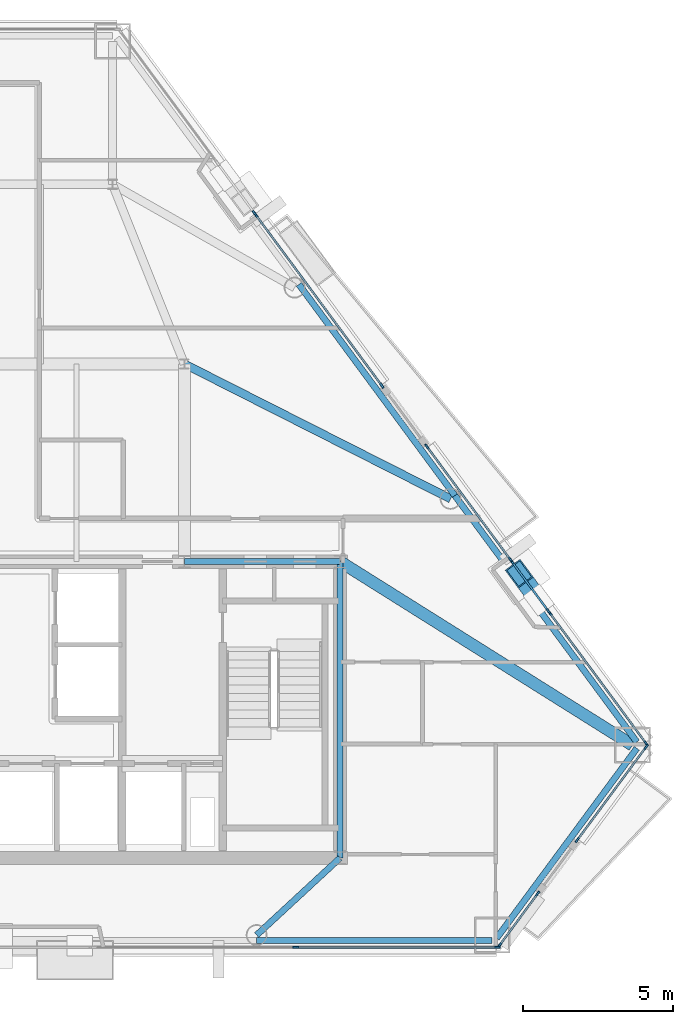
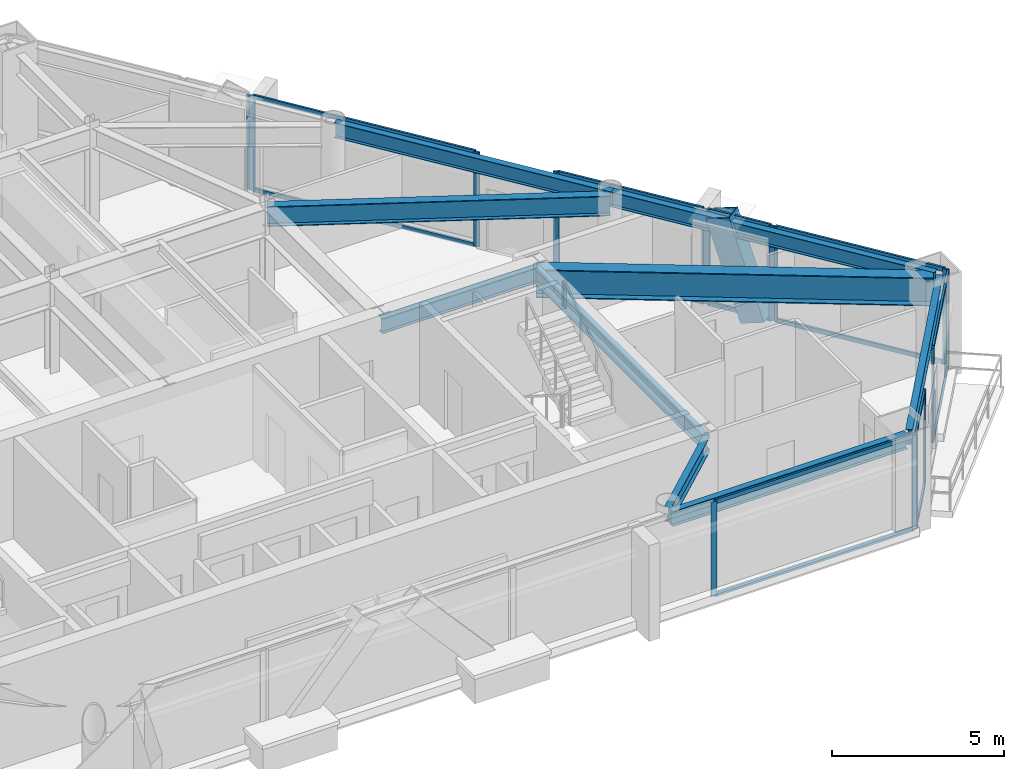
# One storey, part 5 of 11: 30 members, 9 beams, 8 elements without a shape of their own.
"""IFC4 building model written with IfcOpenShell, lengths in metres."""

from ifc_helpers import new_model, si_unit, direction, frame, origin, origin_2d, place, context, subcontext, project, spatial, rectangle, hollow_rectangle, i_section, extrude, material, layer, layer_set, material_profile, profile_set, type_object, element, aggregate, save


model = new_model("IFC4")

# Units and contexts
model_context = context("Model", 3, precision=1e-05, world=origin(), true_north=direction((0.0, 1.0)))
body_context = subcontext(model_context, "Body", "Model", "MODEL_VIEW")
ifc_project = project(units=[si_unit("LENGTHUNIT", "METRE"), si_unit("AREAUNIT", "SQUARE_METRE"), si_unit("VOLUMEUNIT", "CUBIC_METRE"), si_unit("PLANEANGLEUNIT", "RADIAN"), si_unit("MASSUNIT", "GRAM", prefix="KILO")], contexts=[model_context])

# Site, building, storey
site_placement = place(None, origin())
site = spatial("IfcSite", under=ifc_project, at=site_placement, CompositionType="ELEMENT")
building_placement = place(site_placement, origin())
building = spatial("IfcBuilding", under=site, at=building_placement, Name="Talgorran Terracotta Tower", CompositionType="ELEMENT")
storey_placement = place(building_placement, frame((0.0, 0.0, 147.300048828125)))
storey = spatial("IfcBuildingStorey", under=building, at=storey_placement, Name="L38", CompositionType="ELEMENT", Elevation=147.300048828125)

# Beams
ifc_material_1 = material(Name="Steel Grade 350 (350L0)", Category="steel")
ifc_material_profile_1 = material_profile(ifc_material_1, i_section(OverallWidth=0.39990234375, OverallDepth=1.0, WebThickness=0.01611328125, FlangeThickness=0.031005859375, at=origin_2d()), Name="1000WB296")
ifc_profile_set_1 = profile_set([ifc_material_profile_1], Name="Steel Grade 350 (350L0)")
beam_type_1 = type_object("IfcBeamType", Name="BM_1000WB296", PredefinedType="BEAM", material=ifc_profile_set_1)
beam_1_placement = place(storey_placement, frame((12.39990234375, -4.199951171875, 2.849853515625), z_axis=(0.846977550412, -0.531628657145, 0.0), x_axis=(0.531628657145, 0.846977550412, 0.0)))
element("IfcBeam", 1, at=beam_1_placement, inside=storey, type_object=beam_type_1, Name="L38 Floor Girder G18", PredefinedType="BEAM", context=body_context, shape_type="SweptSolid", body=[
    extrude(i_section(OverallWidth=0.39990234375, OverallDepth=1.0, WebThickness=0.01611328125, FlangeThickness=0.031005859375, at=origin_2d()), origin(), (0.0, 0.0, 1.0), 11.533203125),
])
ifc_material_2 = material(Name="Steel S355 (300PLUS)", Category="steel")
ifc_material_profile_2 = material_profile(ifc_material_2, i_section(OverallWidth=0.27490234375, OverallDepth=0.7080078125, WebThickness=0.011962890625, FlangeThickness=0.02490234375, at=origin_2d()), Name="700WB173")
ifc_profile_set_2 = profile_set([ifc_material_profile_2], Name="Steel S355 (300PLUS)")
beam_type_2 = type_object("IfcBeamType", Name="BM_700WB173", PredefinedType="BEAM", material=ifc_profile_set_2)
beam_2_placement = place(storey_placement, frame((7.199951171875, 2.39990234375, 2.995849609375), z_axis=(0.892122666424, -0.451793258087, 0.0), x_axis=(0.451793258087, 0.892122666424, 0.0)))
element("IfcBeam", 2, at=beam_2_placement, inside=storey, type_object=beam_type_2, Name="L38 Floor Girder G07", PredefinedType="BEAM", context=body_context, shape_type="SweptSolid", body=[
    extrude(i_section(OverallWidth=0.27490234375, OverallDepth=0.7080078125, WebThickness=0.011962890625, FlangeThickness=0.02490234375, at=origin_2d()), origin(), (0.0, 0.0, 1.0), 9.966796875),
])
ifc_material_profile_3 = material_profile(ifc_material_2, i_section(OverallWidth=0.209228515625, OverallDepth=0.532958984375, WebThickness=0.01025390625, FlangeThickness=0.015625, at=origin_2d()), Name="530UB92.4")
ifc_profile_set_3 = profile_set([ifc_material_profile_3], Name="Steel S355 (300PLUS)")
beam_type_3 = type_object("IfcBeamType", Name="BM_SP_530UB92", PredefinedType="SPANDREL", material=ifc_profile_set_3)
beam_3_placement = place(storey_placement, frame((9.615966796875, -16.8544921875, 3.08349609375), z_axis=(1.0, 0.0, 0.0), x_axis=(0.0, 1.0, 0.0)))
element("IfcBeam", 3, at=beam_3_placement, inside=storey, type_object=beam_type_3, Name="L38 Perimeter Spandrel Beam FC2-MC3", PredefinedType="SPANDREL", context=body_context, shape_type="SweptSolid", body=[
    extrude(i_section(OverallWidth=0.209228515625, OverallDepth=0.532958984375, WebThickness=0.01025390625, FlangeThickness=0.015625, at=origin_2d()), origin(), (0.0, 0.0, 1.0), 7.86767578125),
])
beam_4_placement = place(storey_placement, frame((17.62841796875, -16.78125, 3.08349609375), z_axis=(0.594068918856, 0.804414146848, 0.0), x_axis=(-0.804414146848, 0.594068918856, 0.0)))
element("IfcBeam", 4, at=beam_4_placement, inside=storey, type_object=beam_type_3, Name="L38 Perimeter Spandrel Beam MC3-MC4", PredefinedType="SPANDREL", context=body_context, shape_type="SweptSolid", body=[
    extrude(i_section(OverallWidth=0.209228515625, OverallDepth=0.532958984375, WebThickness=0.01025390625, FlangeThickness=0.015625, at=origin_2d()), origin(), (0.0, 0.0, 1.0), 7.885498046875),
])
beam_5_placement = place(storey_placement, frame((22.31298828125, -10.224365234375, 3.08349609375), z_axis=(-0.594068215055, 0.804414666613, 0.0), x_axis=(-0.804414666613, -0.594068215055, 0.0)))
element("IfcBeam", 5, at=beam_5_placement, inside=storey, type_object=beam_type_3, Name="L38 Perimeter Spandrel Beam MC4-FC3", PredefinedType="SPANDREL", context=body_context, shape_type="SweptSolid", body=[
    extrude(i_section(OverallWidth=0.209228515625, OverallDepth=0.532958984375, WebThickness=0.01025390625, FlangeThickness=0.015625, at=origin_2d()), origin(), (0.0, 0.0, 1.0), 10.22900390625),
])
beam_6_placement = place(storey_placement, frame((16.236328125, -1.99609375, 3.08349609375), z_axis=(-0.594084887131, 0.804402353852, 0.0), x_axis=(-0.804402353852, -0.594084887131, 0.0)))
element("IfcBeam", 6, at=beam_6_placement, inside=storey, type_object=beam_type_3, Name="L38 Perimeter Spandrel Beam FC3-FC4", PredefinedType="SPANDREL", context=body_context, shape_type="SweptSolid", body=[
    extrude(i_section(OverallWidth=0.209228515625, OverallDepth=0.532958984375, WebThickness=0.01025390625, FlangeThickness=0.015625, at=origin_2d()), origin(), (0.0, 0.0, 1.0), 8.767578125),
])
beam_7_placement = place(storey_placement, frame((12.39990234375, -14.10009765625, 3.08349609375), z_axis=(-0.734220592544, -0.678910982003, 0.0), x_axis=(0.678910982003, -0.734220592544, 0.0)))
element("IfcBeam", 7, at=beam_7_placement, inside=storey, type_object=beam_type_3, Name="L38 South-East Core Tie Beam", PredefinedType="SPANDREL", context=body_context, shape_type="SweptSolid", body=[
    extrude(i_section(OverallWidth=0.209228515625, OverallDepth=0.532958984375, WebThickness=0.01025390625, FlangeThickness=0.015625, at=origin_2d()), origin(), (0.0, 0.0, 1.0), 3.791748046875),
])
beam_8_placement = place(storey_placement, frame((12.39990234375, -14.10009765625, 3.08349609375), z_axis=(0.0, 1.0, 0.0), x_axis=(-1.0, 0.0, 0.0)))
element("IfcBeam", 8, at=beam_8_placement, inside=storey, type_object=beam_type_3, Name="L38 Core Frame Beam CFE", PredefinedType="SPANDREL", context=body_context, shape_type="SweptSolid", body=[
    extrude(i_section(OverallWidth=0.209228515625, OverallDepth=0.532958984375, WebThickness=0.01025390625, FlangeThickness=0.015625, at=origin_2d()), origin(), (0.0, 0.0, 1.0), 9.900146484375),
])
beam_9_placement = place(storey_placement, frame((7.199951171875, -4.199951171875, 3.08349609375), z_axis=(1.0, 0.0, 0.0), x_axis=(0.0, 1.0, 0.0)))
element("IfcBeam", 9, at=beam_9_placement, inside=storey, type_object=beam_type_3, Name="L38 Core Frame Beam CFN4", PredefinedType="SPANDREL", context=body_context, shape_type="SweptSolid", body=[
    extrude(i_section(OverallWidth=0.209228515625, OverallDepth=0.532958984375, WebThickness=0.01025390625, FlangeThickness=0.015625, at=origin_2d()), origin(), (0.0, 0.0, 1.0), 5.199951171875),
])

# Member
ifc_material_profile_4 = material_profile(ifc_material_1, hollow_rectangle(XDim=0.6201171875, YDim=0.780029296875, WallThickness=0.0419921875, at=origin_2d()), Name="WBOX780X620X42")
ifc_profile_set_4 = profile_set([ifc_material_profile_4], Name="Steel Grade 350 (350L0)")
member_type_1 = type_object("IfcMemberType", Name="MB_MEGA_780", PredefinedType="BRACE", material=ifc_profile_set_4)
member_1_placement = place(storey_placement, frame((19.037353515625, -5.48583984375, -0.025146484375), z_axis=(-0.18257277214, 0.247211186229, 0.951605912275), x_axis=(-0.804407113158, -0.594078442885, 0.0)))
element("IfcMember", 10, at=member_1_placement, inside=storey, type_object=member_type_1, Name="L38 Exterior Face Mega-Brace MB-2 (NEL)", PredefinedType="BRACE", context=body_context, shape_type="SweptSolid", body=[
    extrude(hollow_rectangle(XDim=0.6201171875, YDim=0.780029296875, WallThickness=0.0419921875, at=origin_2d()), origin(), (0.0, 0.0, 1.0), 3.572998046875),
])

# Curtain wall, members
ifc_material_3 = material(Name="Unitised Low-E Double Glazing", Category="glass")
ifc_layer = layer(ifc_material_3, 0.199951171875, Name="CW_SYS2_RES_LOW")
ifc_layer_set = layer_set([ifc_layer], Name="Unitised Low-E Double Glazing")
curtain_wall_type = type_object("IfcCurtainWallType", Name="CW_SYS2_RES_LOW", PredefinedType="NOTDEFINED", material=ifc_layer_set)
curtain_wall_1_placement = place(storey_placement, origin())
curtain_wall_1 = element("IfcCurtainWall", 11, at=curtain_wall_1_placement, inside=storey, type_object=curtain_wall_type, Name="CW-L38-F1C", PredefinedType="NOTDEFINED")
ifc_material_4 = material(Name="Architectural Aluminium 6063-T6", Category="aluminium")
ifc_material_profile_5 = material_profile(ifc_material_4, rectangle(XDim=0.06494140625, YDim=0.18505859375, at=origin_2d()), Name="CWM65X185")
ifc_profile_set_5 = profile_set([ifc_material_profile_5], Name="Architectural Aluminium 6063-T6")
member_type_2 = type_object("IfcMemberType", Name="MUL_65X185", PredefinedType="MULLION", material=ifc_profile_set_5)
member_2_placement = place(storey_placement, frame((10.921142578125, -17.074462890625, 0.0), z_axis=(0.0, 0.0, 1.0), x_axis=(0.0, 1.0, 0.0)))
member_2 = element("IfcMember", 12, at=member_2_placement, type_object=member_type_2, Name="CW-L38-1C mullion 2", PredefinedType="MULLION", context=body_context, shape_type="SweptSolid", body=[
    extrude(rectangle(XDim=0.06494140625, YDim=0.18505859375, at=origin_2d()), origin(), (0.0, 0.0, 1.0), 3.349853515625),
])
member_3_placement = place(storey_placement, frame((17.65283203125, -17.074462890625, 0.0), z_axis=(0.0, 0.0, 1.0), x_axis=(0.0, 1.0, 0.0)))
member_3 = element("IfcMember", 13, at=member_3_placement, type_object=member_type_2, Name="CW-L38-1C mullion 3", PredefinedType="MULLION", context=body_context, shape_type="SweptSolid", body=[
    extrude(rectangle(XDim=0.06494140625, YDim=0.18505859375, at=origin_2d()), origin(), (0.0, 0.0, 1.0), 3.349853515625),
])

curtain_wall_2_placement = place(storey_placement, origin())
curtain_wall_2 = element("IfcCurtainWall", 14, at=curtain_wall_2_placement, inside=storey, type_object=curtain_wall_type, Name="CW-L38-F30", PredefinedType="NOTDEFINED")
member_4_placement = place(storey_placement, frame((17.728515625, -17.01611328125, 0.0), z_axis=(0.0, 0.0, 1.0), x_axis=(-0.804413973755, 0.594069153237, 0.0)))
member_4 = element("IfcMember", 15, at=member_4_placement, type_object=member_type_2, Name="CW-L38-30 mullion 1", PredefinedType="MULLION", context=body_context, shape_type="SweptSolid", body=[
    extrude(rectangle(XDim=0.06494140625, YDim=0.18505859375, at=origin_2d()), origin(), (0.0, 0.0, 1.0), 3.349853515625),
])
member_5_placement = place(storey_placement, frame((19.0029296875, -15.29052734375, 0.0), z_axis=(0.0, 0.0, 1.0), x_axis=(-0.804413973755, 0.594069153237, 0.0)))
member_5 = element("IfcMember", 16, at=member_5_placement, type_object=member_type_2, Name="CW-L38-30 mullion 2", PredefinedType="MULLION", context=body_context, shape_type="SweptSolid", body=[
    extrude(rectangle(XDim=0.06494140625, YDim=0.18505859375, at=origin_2d()), origin(), (0.0, 0.0, 1.0), 3.349853515625),
])

curtain_wall_3_placement = place(storey_placement, origin())
curtain_wall_3 = element("IfcCurtainWall", 17, at=curtain_wall_3_placement, inside=storey, type_object=curtain_wall_type, Name="CW-L38-F31", PredefinedType="NOTDEFINED")
member_6_placement = place(storey_placement, frame((20.32470703125, -13.500732421875, 0.0), z_axis=(0.0, 0.0, 1.0), x_axis=(-0.804402793859, 0.594084291352, 0.0)))
member_6 = element("IfcMember", 18, at=member_6_placement, type_object=member_type_2, Name="CW-L38-31 mullion 1", PredefinedType="MULLION", context=body_context, shape_type="SweptSolid", body=[
    extrude(rectangle(XDim=0.06494140625, YDim=0.18505859375, at=origin_2d()), origin(), (0.0, 0.0, 1.0), 3.349853515625),
])
member_7_placement = place(storey_placement, frame((22.622314453125, -10.3896484375, 0.0), z_axis=(0.0, 0.0, 1.0), x_axis=(-0.804402793859, 0.594084291352, 0.0)))
member_7 = element("IfcMember", 19, at=member_7_placement, type_object=member_type_2, Name="CW-L38-31 mullion 2", PredefinedType="MULLION", context=body_context, shape_type="SweptSolid", body=[
    extrude(rectangle(XDim=0.06494140625, YDim=0.18505859375, at=origin_2d()), origin(), (0.0, 0.0, 1.0), 3.349853515625),
])

curtain_wall_4_placement = place(storey_placement, origin())
curtain_wall_4 = element("IfcCurtainWall", 20, at=curtain_wall_4_placement, inside=storey, type_object=curtain_wall_type, Name="CW-L38-F40", PredefinedType="NOTDEFINED")
member_8_placement = place(storey_placement, frame((22.622314453125, -10.27294921875, 0.0), z_axis=(0.0, 0.0, 1.0), x_axis=(-0.804402582679, -0.594084577294, 0.0)))
member_8 = element("IfcMember", 21, at=member_8_placement, type_object=member_type_2, Name="CW-L38-40 mullion 1", PredefinedType="MULLION", context=body_context, shape_type="SweptSolid", body=[
    extrude(rectangle(XDim=0.06494140625, YDim=0.18505859375, at=origin_2d()), origin(), (0.0, 0.0, 1.0), 3.349853515625),
])
member_9_placement = place(storey_placement, frame((19.4013671875, -5.911376953125, 0.0), z_axis=(0.0, 0.0, 1.0), x_axis=(-0.804402582679, -0.594084577294, 0.0)))
member_9 = element("IfcMember", 22, at=member_9_placement, type_object=member_type_2, Name="CW-L38-40 mullion 2", PredefinedType="MULLION", context=body_context, shape_type="SweptSolid", body=[
    extrude(rectangle(XDim=0.06494140625, YDim=0.18505859375, at=origin_2d()), origin(), (0.0, 0.0, 1.0), 3.349853515625),
])

curtain_wall_5_placement = place(storey_placement, origin())
curtain_wall_5 = element("IfcCurtainWall", 23, at=curtain_wall_5_placement, inside=storey, type_object=curtain_wall_type, Name="CW-L38-F40B", PredefinedType="NOTDEFINED")
member_10_placement = place(storey_placement, frame((19.356689453125, -5.85107421875, 0.0), z_axis=(0.0, 0.0, 1.0), x_axis=(-0.804400478382, -0.594087426545, 0.0)))
member_10 = element("IfcMember", 24, at=member_10_placement, type_object=member_type_2, Name="CW-L38-40B mullion 1", PredefinedType="MULLION", context=body_context, shape_type="SweptSolid", body=[
    extrude(rectangle(XDim=0.06494140625, YDim=0.18505859375, at=origin_2d()), origin(), (0.0, 0.0, 1.0), 3.349853515625),
])
member_11_placement = place(storey_placement, frame((18.1298828125, -4.18994140625, 0.0), z_axis=(0.0, 0.0, 1.0), x_axis=(-0.804400478382, -0.594087426545, 0.0)))
member_11 = element("IfcMember", 25, at=member_11_placement, type_object=member_type_2, Name="CW-L38-40B mullion 2", PredefinedType="MULLION", context=body_context, shape_type="SweptSolid", body=[
    extrude(rectangle(XDim=0.06494140625, YDim=0.18505859375, at=origin_2d()), origin(), (0.0, 0.0, 1.0), 3.349853515625),
])

curtain_wall_6_placement = place(storey_placement, origin())
curtain_wall_6 = element("IfcCurtainWall", 26, at=curtain_wall_6_placement, inside=storey, type_object=curtain_wall_type, Name="CW-L38-F40C", PredefinedType="NOTDEFINED")
member_12_placement = place(storey_placement, frame((18.08544921875, -4.12939453125, 0.0), z_axis=(0.0, 0.0, 1.0), x_axis=(-0.804401249932, -0.594086381856, 0.0)))
member_12 = element("IfcMember", 27, at=member_12_placement, type_object=member_type_2, Name="CW-L38-40C mullion 1", PredefinedType="MULLION", context=body_context, shape_type="SweptSolid", body=[
    extrude(rectangle(XDim=0.06494140625, YDim=0.18505859375, at=origin_2d()), origin(), (0.0, 0.0, 1.0), 3.349853515625),
])
member_13_placement = place(storey_placement, frame((15.300048828125, -0.358154296875, 0.0), z_axis=(0.0, 0.0, 1.0), x_axis=(-0.804401249932, -0.594086381856, 0.0)))
member_13 = element("IfcMember", 28, at=member_13_placement, type_object=member_type_2, Name="CW-L38-40C mullion 2", PredefinedType="MULLION", context=body_context, shape_type="SweptSolid", body=[
    extrude(rectangle(XDim=0.06494140625, YDim=0.18505859375, at=origin_2d()), origin(), (0.0, 0.0, 1.0), 3.349853515625),
])

curtain_wall_7_placement = place(storey_placement, origin())
curtain_wall_7 = element("IfcCurtainWall", 29, at=curtain_wall_7_placement, inside=storey, type_object=curtain_wall_type, Name="CW-L38-F41", PredefinedType="NOTDEFINED")
member_14_placement = place(storey_placement, frame((13.800048828125, 1.6728515625, 0.0), z_axis=(0.0, 0.0, 1.0), x_axis=(-0.804410177305, -0.594074293879, 0.0)))
member_14 = element("IfcMember", 30, at=member_14_placement, type_object=member_type_2, Name="CW-L38-41 mullion 1", PredefinedType="MULLION", context=body_context, shape_type="SweptSolid", body=[
    extrude(rectangle(XDim=0.06494140625, YDim=0.18505859375, at=origin_2d()), origin(), (0.0, 0.0, 1.0), 3.349853515625),
])
member_15_placement = place(storey_placement, frame((9.58251953125, 7.383544921875, 0.0), z_axis=(0.0, 0.0, 1.0), x_axis=(-0.804410177305, -0.594074293879, 0.0)))
member_15 = element("IfcMember", 31, at=member_15_placement, type_object=member_type_2, Name="CW-L38-41 mullion 2", PredefinedType="MULLION", context=body_context, shape_type="SweptSolid", body=[
    extrude(rectangle(XDim=0.06494140625, YDim=0.18505859375, at=origin_2d()), origin(), (0.0, 0.0, 1.0), 3.349853515625),
])

# Curtain wall, member
curtain_wall_8_placement = place(storey_placement, origin())
curtain_wall_8 = element("IfcCurtainWall", 32, at=curtain_wall_8_placement, inside=storey, type_object=curtain_wall_type, Name="CW-L38-F41B", PredefinedType="NOTDEFINED")
member_16_placement = place(storey_placement, frame((9.5380859375, 7.44384765625, 0.0), z_axis=(0.0, 0.0, 1.0), x_axis=(-0.804417046158, -0.594064992951, 0.0)))
member_16 = element("IfcMember", 33, at=member_16_placement, type_object=member_type_2, Name="CW-L38-41B mullion 1", PredefinedType="MULLION", context=body_context, shape_type="SweptSolid", body=[
    extrude(rectangle(XDim=0.06494140625, YDim=0.18505859375, at=origin_2d()), origin(), (0.0, 0.0, 1.0), 3.349853515625),
])
aggregate(curtain_wall_8, [member_16])

# Member
ifc_material_profile_6 = material_profile(ifc_material_4, rectangle(XDim=0.06494140625, YDim=0.14990234375, at=origin_2d()), Name="CWT65X150")
ifc_profile_set_6 = profile_set([ifc_material_profile_6], Name="Architectural Aluminium 6063-T6")
member_type_3 = type_object("IfcMemberType", Name="TRN_65X150", PredefinedType="USERDEFINED", material=ifc_profile_set_6)
member_17_placement = place(storey_placement, frame((10.95361328125, -17.074462890625, 0.032470703125), z_axis=(1.0, 0.0, 0.0), x_axis=(0.0, 1.0, 0.0)))
member_17 = element("IfcMember", 34, at=member_17_placement, type_object=member_type_3, Name="CW-L38-1C transom 2.1", ObjectType="TRANSOM", PredefinedType="USERDEFINED", context=body_context, shape_type="SweptSolid", body=[
    extrude(rectangle(XDim=0.06494140625, YDim=0.14990234375, at=origin_2d()), origin(), (0.0, 0.0, 1.0), 6.666748046875),
])

member_18_placement = place(storey_placement, frame((10.95361328125, -17.074462890625, 3.3173828125), z_axis=(1.0, 0.0, 0.0), x_axis=(0.0, 1.0, 0.0)))
member_18 = element("IfcMember", 35, at=member_18_placement, type_object=member_type_3, Name="CW-L38-1C transom 2.2", ObjectType="TRANSOM", PredefinedType="USERDEFINED", context=body_context, shape_type="SweptSolid", body=[
    extrude(rectangle(XDim=0.06494140625, YDim=0.14990234375, at=origin_2d()), origin(), (0.0, 0.0, 1.0), 6.666748046875),
])

aggregate(curtain_wall_1, [member_2, member_3, member_17, member_18])

member_19_placement = place(storey_placement, frame((17.747802734375, -16.989990234375, 0.032470703125), z_axis=(0.594087426548, 0.80440047838, 0.0), x_axis=(-0.80440047838, 0.594087426548, 0.0)))
member_19 = element("IfcMember", 36, at=member_19_placement, type_object=member_type_3, Name="CW-L38-30 transom 1.1", ObjectType="TRANSOM", PredefinedType="USERDEFINED", context=body_context, shape_type="SweptSolid", body=[
    extrude(rectangle(XDim=0.06494140625, YDim=0.14990234375, at=origin_2d()), origin(), (0.0, 0.0, 1.0), 2.080322265625),
])

member_20_placement = place(storey_placement, frame((17.747802734375, -16.989990234375, 3.3173828125), z_axis=(0.594087426548, 0.80440047838, 0.0), x_axis=(-0.80440047838, 0.594087426548, 0.0)))
member_20 = element("IfcMember", 37, at=member_20_placement, type_object=member_type_3, Name="CW-L38-30 transom 1.2", ObjectType="TRANSOM", PredefinedType="USERDEFINED", context=body_context, shape_type="SweptSolid", body=[
    extrude(rectangle(XDim=0.06494140625, YDim=0.14990234375, at=origin_2d()), origin(), (0.0, 0.0, 1.0), 2.080322265625),
])

aggregate(curtain_wall_2, [member_4, member_5, member_19, member_20])

member_21_placement = place(storey_placement, frame((20.343994140625, -13.474609375, 0.032470703125), z_axis=(0.594076904205, 0.804408249517, 0.0), x_axis=(-0.804408249517, 0.594076904205, 0.0)))
member_21 = element("IfcMember", 38, at=member_21_placement, type_object=member_type_3, Name="CW-L38-31 transom 1.1", ObjectType="TRANSOM", PredefinedType="USERDEFINED", context=body_context, shape_type="SweptSolid", body=[
    extrude(rectangle(XDim=0.06494140625, YDim=0.14990234375, at=origin_2d()), origin(), (0.0, 0.0, 1.0), 3.802490234375),
])

member_22_placement = place(storey_placement, frame((20.343994140625, -13.474609375, 3.3173828125), z_axis=(0.594076904205, 0.804408249517, 0.0), x_axis=(-0.804408249517, 0.594076904205, 0.0)))
member_22 = element("IfcMember", 39, at=member_22_placement, type_object=member_type_3, Name="CW-L38-31 transom 1.2", ObjectType="TRANSOM", PredefinedType="USERDEFINED", context=body_context, shape_type="SweptSolid", body=[
    extrude(rectangle(XDim=0.06494140625, YDim=0.14990234375, at=origin_2d()), origin(), (0.0, 0.0, 1.0), 3.802490234375),
])

aggregate(curtain_wall_3, [member_6, member_7, member_21, member_22])

member_23_placement = place(storey_placement, frame((22.60302734375, -10.246826171875, 0.032470703125), z_axis=(-0.594055278128, 0.804424220501, 0.0), x_axis=(-0.804424220501, -0.594055278128, 0.0)))
member_23 = element("IfcMember", 40, at=member_23_placement, type_object=member_type_3, Name="CW-L38-40 transom 1.1", ObjectType="TRANSOM", PredefinedType="USERDEFINED", context=body_context, shape_type="SweptSolid", body=[
    extrude(rectangle(XDim=0.06494140625, YDim=0.14990234375, at=origin_2d()), origin(), (0.0, 0.0, 1.0), 5.35693359375),
])

member_24_placement = place(storey_placement, frame((22.60302734375, -10.246826171875, 3.3173828125), z_axis=(-0.594055278128, 0.804424220501, 0.0), x_axis=(-0.804424220501, -0.594055278128, 0.0)))
member_24 = element("IfcMember", 41, at=member_24_placement, type_object=member_type_3, Name="CW-L38-40 transom 1.2", ObjectType="TRANSOM", PredefinedType="USERDEFINED", context=body_context, shape_type="SweptSolid", body=[
    extrude(rectangle(XDim=0.06494140625, YDim=0.14990234375, at=origin_2d()), origin(), (0.0, 0.0, 1.0), 5.35693359375),
])

aggregate(curtain_wall_4, [member_8, member_9, member_23, member_24])

member_25_placement = place(storey_placement, frame((19.33740234375, -5.824951171875, 0.032470703125), z_axis=(-0.594085559723, 0.804401857114, 0.0), x_axis=(-0.804401857114, -0.594085559723, 0.0)))
member_25 = element("IfcMember", 42, at=member_25_placement, type_object=member_type_3, Name="CW-L38-40B transom 1.1", ObjectType="TRANSOM", PredefinedType="USERDEFINED", context=body_context, shape_type="SweptSolid", body=[
    extrude(rectangle(XDim=0.06494140625, YDim=0.14990234375, at=origin_2d()), origin(), (0.0, 0.0, 1.0), 2.0),
])

member_26_placement = place(storey_placement, frame((19.33740234375, -5.824951171875, 3.3173828125), z_axis=(-0.594085559723, 0.804401857114, 0.0), x_axis=(-0.804401857114, -0.594085559723, 0.0)))
member_26 = element("IfcMember", 43, at=member_26_placement, type_object=member_type_3, Name="CW-L38-40B transom 1.2", ObjectType="TRANSOM", PredefinedType="USERDEFINED", context=body_context, shape_type="SweptSolid", body=[
    extrude(rectangle(XDim=0.06494140625, YDim=0.14990234375, at=origin_2d()), origin(), (0.0, 0.0, 1.0), 2.0),
])

aggregate(curtain_wall_5, [member_10, member_11, member_25, member_26])

member_27_placement = place(storey_placement, frame((18.066162109375, -4.103271484375, 0.032470703125), z_axis=(-0.594111893357, 0.80438240792, 0.0), x_axis=(-0.80438240792, -0.594111893357, 0.0)))
member_27 = element("IfcMember", 44, at=member_27_placement, type_object=member_type_3, Name="CW-L38-40C transom 1.1", ObjectType="TRANSOM", PredefinedType="USERDEFINED", context=body_context, shape_type="SweptSolid", body=[
    extrude(rectangle(XDim=0.06494140625, YDim=0.14990234375, at=origin_2d()), origin(), (0.0, 0.0, 1.0), 4.62353515625),
])

member_28_placement = place(storey_placement, frame((18.066162109375, -4.103271484375, 3.3173828125), z_axis=(-0.594111893357, 0.80438240792, 0.0), x_axis=(-0.80438240792, -0.594111893357, 0.0)))
member_28 = element("IfcMember", 45, at=member_28_placement, type_object=member_type_3, Name="CW-L38-40C transom 1.2", ObjectType="TRANSOM", PredefinedType="USERDEFINED", context=body_context, shape_type="SweptSolid", body=[
    extrude(rectangle(XDim=0.06494140625, YDim=0.14990234375, at=origin_2d()), origin(), (0.0, 0.0, 1.0), 4.62353515625),
])

aggregate(curtain_wall_6, [member_12, member_13, member_27, member_28])

member_29_placement = place(storey_placement, frame((13.78076171875, 1.698974609375, 0.032470703125), z_axis=(-0.594080689917, 0.804405453654, 0.0), x_axis=(-0.804405453654, -0.594080689917, 0.0)))
member_29 = element("IfcMember", 46, at=member_29_placement, type_object=member_type_3, Name="CW-L38-41 transom 1.1", ObjectType="TRANSOM", PredefinedType="USERDEFINED", context=body_context, shape_type="SweptSolid", body=[
    extrude(rectangle(XDim=0.06494140625, YDim=0.14990234375, at=origin_2d()), origin(), (0.0, 0.0, 1.0), 7.034423828125),
])

member_30_placement = place(storey_placement, frame((13.78076171875, 1.698974609375, 3.3173828125), z_axis=(-0.594080689917, 0.804405453654, 0.0), x_axis=(-0.804405453654, -0.594080689917, 0.0)))
member_30 = element("IfcMember", 47, at=member_30_placement, type_object=member_type_3, Name="CW-L38-41 transom 1.2", ObjectType="TRANSOM", PredefinedType="USERDEFINED", context=body_context, shape_type="SweptSolid", body=[
    extrude(rectangle(XDim=0.06494140625, YDim=0.14990234375, at=origin_2d()), origin(), (0.0, 0.0, 1.0), 7.034423828125),
])

aggregate(curtain_wall_7, [member_14, member_15, member_29, member_30])

save(model, "model.ifc")
